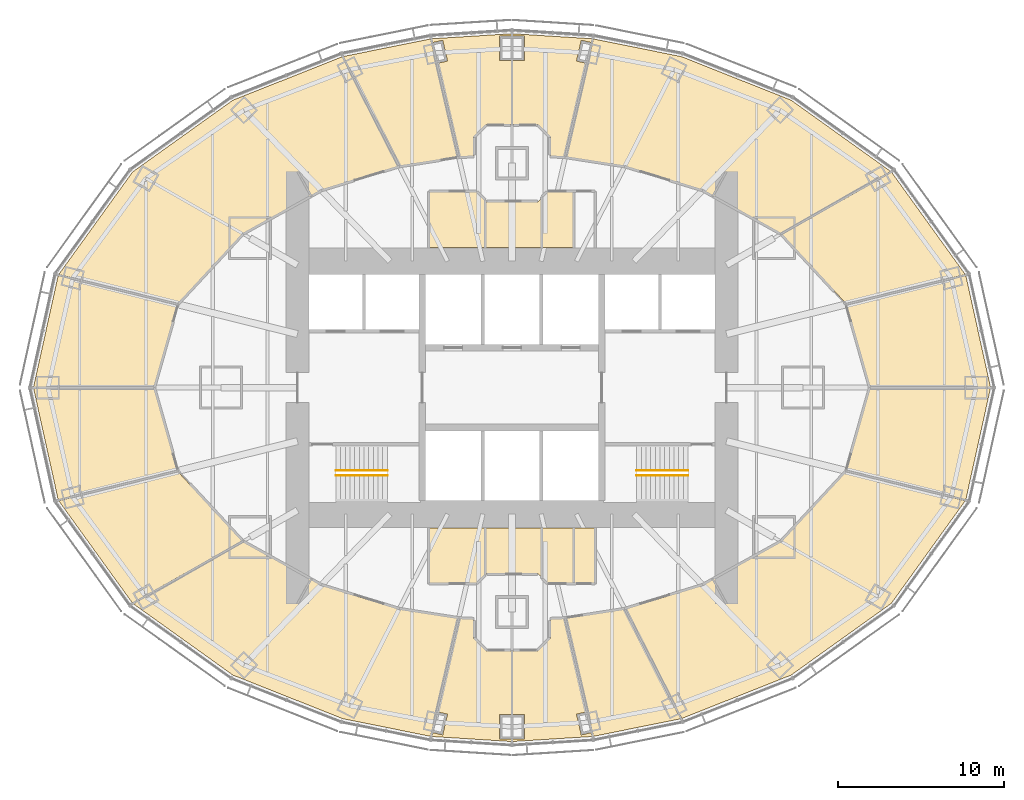
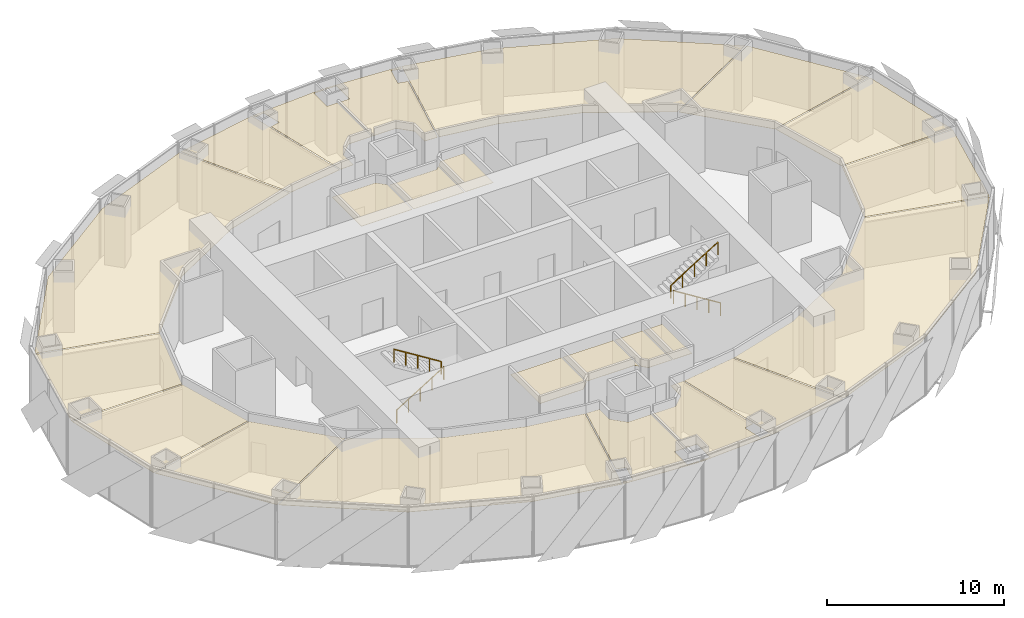
# One storey, part 17 of 17: 23 coverings, 4 railings.
"""IFC4 building model written with IfcOpenShell, lengths in metres."""

from ifc_helpers import new_model, si_unit, direction, frame, origin, origin_2d, place, context, subcontext, project, spatial, polyline, circle, outline, extrude, material, layer, layer_set, type_object, element, save


model = new_model("IFC4")

# Units and contexts
model_context = context("Model", 3, precision=1e-05, world=origin(), true_north=direction((0.0, 1.0)))
body_context = subcontext(model_context, "Body", "Model", "MODEL_VIEW")
ifc_project = project(units=[si_unit("LENGTHUNIT", "METRE"), si_unit("AREAUNIT", "SQUARE_METRE"), si_unit("VOLUMEUNIT", "CUBIC_METRE"), si_unit("PLANEANGLEUNIT", "RADIAN"), si_unit("MASSUNIT", "GRAM", prefix="KILO")], contexts=[model_context])

# Site, building, storey
site_placement = place(None, origin())
site = spatial("IfcSite", under=ifc_project, at=site_placement, CompositionType="ELEMENT")
building_placement = place(site_placement, origin())
building = spatial("IfcBuilding", under=site, at=building_placement, Name="Lantaw Convention Tower", CompositionType="ELEMENT")
storey_placement = place(building_placement, frame((0.0, 0.0, 159.39990234375)))
storey = spatial("IfcBuildingStorey", under=building, at=storey_placement, Name="L37", CompositionType="ELEMENT", Elevation=159.39990234375)

# Railings
ifc_material_1 = material(Name="Stainless steel", Category="steel")
railing_type = type_object("IfcRailingType", Name="Stair handrail", PredefinedType="HANDRAIL", material=ifc_material_1)
railing_1_placement = place(storey_placement, frame((-10.580078125, -5.280029296875, 0.175048828125)))
element("IfcRailing", 1, at=railing_1_placement, inside=storey, type_object=railing_type, Name="Stair handrail S1", PredefinedType="HANDRAIL", context=body_context, shape_type="SweptSolid", body=[
    extrude(circle(Radius=0.02392578125, at=origin_2d()), frame((0.0, 0.0, 0.8759765625), z_axis=(0.847998304005, 0.0, 0.529998940003), x_axis=(0.0, 1.0, 0.0)), (0.0, 0.0, 1.0), 3.632080078125),
    extrude(circle(Radius=0.02099609375, at=origin_2d()), origin(), (0.0, 0.0, 1.0), 0.851806640625),
    extrude(circle(Radius=0.02099609375, at=origin_2d()), frame((0.77001953125, 0.0, 0.481201171875)), (0.0, 0.0, 1.0), 0.851806640625),
    extrude(circle(Radius=0.02099609375, at=origin_2d()), frame((1.5400390625, 0.0, 0.96240234375)), (0.0, 0.0, 1.0), 0.851806640625),
    extrude(circle(Radius=0.02099609375, at=origin_2d()), frame((2.31005859375, 0.0, 1.44384765625)), (0.0, 0.0, 1.0), 0.851806640625),
    extrude(circle(Radius=0.02099609375, at=origin_2d()), frame((3.080078125, 0.0, 1.925048828125)), (0.0, 0.0, 1.0), 0.851806640625),
])
for number, where, name in (
    (2, (-7.5, -4.97998046875, 2.275146484375), "Stair handrail S1"),
    (3, (10.580078125, -5.280029296875, 0.175048828125), "Stair handrail S2"),
):
    element("IfcRailing", number, at=place(storey_placement, frame(where)), inside=storey, type_object=railing_type, Name=name, PredefinedType="HANDRAIL", context=body_context, shape_type="SweptSolid", body=[
        extrude(circle(Radius=0.02392578125, at=origin_2d()), frame((0.0, 0.0, 0.8759765625), z_axis=(-0.847998304005, 0.0, 0.529998940003), x_axis=(0.0, -1.0, 0.0)), (0.0, 0.0, 1.0), 3.632080078125),
        extrude(circle(Radius=0.02099609375, at=origin_2d()), origin(), (0.0, 0.0, 1.0), 0.851806640625),
        extrude(circle(Radius=0.02099609375, at=origin_2d()), frame((-0.77001953125, 0.0, 0.481201171875)), (0.0, 0.0, 1.0), 0.851806640625),
        extrude(circle(Radius=0.02099609375, at=origin_2d()), frame((-1.5400390625, 0.0, 0.96240234375)), (0.0, 0.0, 1.0), 0.851806640625),
        extrude(circle(Radius=0.02099609375, at=origin_2d()), frame((-2.31005859375, 0.0, 1.44384765625)), (0.0, 0.0, 1.0), 0.851806640625),
        extrude(circle(Radius=0.02099609375, at=origin_2d()), frame((-3.080078125, 0.0, 1.925048828125)), (0.0, 0.0, 1.0), 0.851806640625),
    ])
railing_2_placement = place(storey_placement, frame((7.5, -4.97998046875, 2.275146484375)))
element("IfcRailing", 4, at=railing_2_placement, inside=storey, type_object=railing_type, Name="Stair handrail S2", PredefinedType="HANDRAIL", context=body_context, shape_type="SweptSolid", body=[
    extrude(circle(Radius=0.02392578125, at=origin_2d()), frame((0.0, 0.0, 0.8759765625), z_axis=(0.847998304005, 0.0, 0.529998940003), x_axis=(0.0, 1.0, 0.0)), (0.0, 0.0, 1.0), 3.632080078125),
    extrude(circle(Radius=0.02099609375, at=origin_2d()), origin(), (0.0, 0.0, 1.0), 0.851806640625),
    extrude(circle(Radius=0.02099609375, at=origin_2d()), frame((0.77001953125, 0.0, 0.481201171875)), (0.0, 0.0, 1.0), 0.851806640625),
    extrude(circle(Radius=0.02099609375, at=origin_2d()), frame((1.5400390625, 0.0, 0.96240234375)), (0.0, 0.0, 1.0), 0.851806640625),
    extrude(circle(Radius=0.02099609375, at=origin_2d()), frame((2.31005859375, 0.0, 1.44384765625)), (0.0, 0.0, 1.0), 0.851806640625),
    extrude(circle(Radius=0.02099609375, at=origin_2d()), frame((3.080078125, 0.0, 1.925048828125)), (0.0, 0.0, 1.0), 0.851806640625),
])

# Coverings
ifc_material_2 = material(Name="Gypsum board on steel suspension grid", Category="steel")
ifc_layer = layer(ifc_material_2, 0.02001953125)
ifc_layer_set = layer_set([ifc_layer], Name="Suspended ceiling")
covering_type = type_object("IfcCoveringType", Name="Suspended ceiling", PredefinedType="CEILING", material=ifc_layer_set)
covering_1_placement = place(storey_placement, frame((0.0, 0.0, 3.4501953125)))
element("IfcCovering", 5, at=covering_1_placement, inside=storey, type_object=covering_type, Name="Female WC ceiling", PredefinedType="CEILING", context=body_context, shape_type="SweptSolid", body=[
    extrude(outline(polyline([(-4.9599609375, 11.760009765625), (-4.9599609375, 8.43994140625), (-1.639892578125, 8.43994140625), (-1.639892578125, 11.26611328125), (-2.1337890625, 11.760009765625), (-4.9599609375, 11.760009765625)])), origin(), (0.0, 0.0, 1.0), 0.02001953125),
])
covering_2_placement = place(storey_placement, frame((0.0, 0.0, 3.4501953125)))
element("IfcCovering", 6, at=covering_2_placement, inside=storey, type_object=covering_type, Name="Male WC ceiling", PredefinedType="CEILING", context=body_context, shape_type="SweptSolid", body=[
    extrude(outline(polyline([(-1.56005859375, 11.186279296875), (-1.56005859375, 8.43994140625), (1.760009765625, 8.43994140625), (1.760009765625, 11.38623046875), (1.548828125, 11.175048828125), (-1.548828125, 11.175048828125), (-1.56005859375, 11.186279296875)])), origin(), (0.0, 0.0, 1.0), 0.02001953125),
])
covering_3_placement = place(storey_placement, frame((0.0, 0.0, 3.4501953125)))
element("IfcCovering", 7, at=covering_3_placement, inside=storey, type_object=covering_type, Name="Accessible WC ceiling", PredefinedType="CEILING", context=body_context, shape_type="SweptSolid", body=[
    extrude(outline(polyline([(1.840087890625, 11.466064453125), (1.840087890625, 8.43994140625), (3.659912109375, 8.43994140625), (3.659912109375, 11.760009765625), (2.1337890625, 11.760009765625), (1.840087890625, 11.466064453125)])), origin(), (0.0, 0.0, 1.0), 0.02001953125),
])
covering_4_placement = place(storey_placement, frame((0.0, 0.0, 3.4501953125)))
element("IfcCovering", 8, at=covering_4_placement, inside=storey, type_object=covering_type, Name="Female WC ceiling", PredefinedType="CEILING", context=body_context, shape_type="SweptSolid", body=[
    extrude(outline(polyline([(-4.9599609375, -8.43994140625), (-4.9599609375, -11.760009765625), (-2.1337890625, -11.760009765625), (-1.639892578125, -11.26611328125), (-1.639892578125, -8.43994140625), (-4.9599609375, -8.43994140625)])), origin(), (0.0, 0.0, 1.0), 0.02001953125),
])
covering_5_placement = place(storey_placement, frame((0.0, 0.0, 3.4501953125)))
element("IfcCovering", 9, at=covering_5_placement, inside=storey, type_object=covering_type, Name="Male WC ceiling", PredefinedType="CEILING", context=body_context, shape_type="SweptSolid", body=[
    extrude(outline(polyline([(-1.56005859375, -11.186279296875), (-1.548828125, -11.175048828125), (1.548828125, -11.175048828125), (1.760009765625, -11.38623046875), (1.760009765625, -8.43994140625), (-1.56005859375, -8.43994140625), (-1.56005859375, -11.186279296875)])), origin(), (0.0, 0.0, 1.0), 0.02001953125),
])
covering_6_placement = place(storey_placement, frame((0.0, 0.0, 3.4501953125)))
element("IfcCovering", 10, at=covering_6_placement, inside=storey, type_object=covering_type, Name="Accessible WC ceiling", PredefinedType="CEILING", context=body_context, shape_type="SweptSolid", body=[
    extrude(outline(polyline([(1.840087890625, -8.43994140625), (1.840087890625, -11.466064453125), (2.1337890625, -11.760009765625), (3.659912109375, -11.760009765625), (3.659912109375, -8.43994140625), (1.840087890625, -8.43994140625)])), origin(), (0.0, 0.0, 1.0), 0.02001953125),
])
covering_7_placement = place(storey_placement, frame((0.0, 0.0, 3.4501953125)))
element("IfcCovering", 11, at=covering_7_placement, inside=storey, type_object=covering_type, Name="Pantry ceiling", PredefinedType="CEILING", context=body_context, shape_type="SweptSolid", body=[
    extrude(outline(polyline([(3.739990234375, -11.760009765625), (4.9599609375, -11.760009765625), (4.9599609375, -8.43994140625), (3.739990234375, -8.43994140625), (3.739990234375, -11.760009765625)])), origin(), (0.0, 0.0, 1.0), 0.02001953125),
])
covering_8_placement = place(storey_placement, frame((0.0, 0.0, 3.4501953125)))
element("IfcCovering", 12, at=covering_8_placement, inside=storey, type_object=covering_type, Name="Meeting room ceiling", PredefinedType="CEILING", context=body_context, shape_type="SweptSolid", body=[
    extrude(outline(polyline([(21.5302734375, 0.0400390625), (28.77099609375, 0.0400390625), (27.2939453125, 6.731689453125), (20.128173828125, 4.97705078125), (21.5302734375, 0.0400390625)])), origin(), (0.0, 0.0, 1.0), 0.02001953125),
])
covering_9_placement = place(storey_placement, frame((0.0, 0.0, 3.4501953125)))
element("IfcCovering", 13, at=covering_9_placement, inside=storey, type_object=covering_type, Name="Private office ceiling", PredefinedType="CEILING", context=body_context, shape_type="SweptSolid", body=[
    extrude(outline(polyline([(20.091796875, 5.050537109375), (27.257080078125, 6.80517578125), (22.832275390625, 12.947265625), (16.2236328125, 9.224365234375), (20.091796875, 5.050537109375)])), origin(), (0.0, 0.0, 1.0), 0.02001953125),
])
covering_10_placement = place(storey_placement, frame((0.0, 0.0, 3.4501953125)))
element("IfcCovering", 14, at=covering_10_placement, inside=storey, type_object=covering_type, Name="Tenant suite ceiling", PredefinedType="CEILING", context=body_context, shape_type="SweptSolid", body=[
    extrude(outline(polyline([(16.159912109375, 9.280029296875), (22.76953125, 13.003662109375), (16.778076171875, 17.29150390625), (10.1865234375, 19.90576171875), (4.899658203125, 20.970947265625), (3.244873046875, 13.87744140625), (6.779541015625, 13.326904296875), (11.460693359375, 11.888671875), (16.159912109375, 9.280029296875)])), origin(), (0.0, 0.0, 1.0), 0.02001953125),
])
covering_11_placement = place(storey_placement, frame((0.0, 0.0, 3.4501953125)))
element("IfcCovering", 15, at=covering_11_placement, inside=storey, type_object=covering_type, Name="Pantry ceiling", PredefinedType="CEILING", context=body_context, shape_type="SweptSolid", body=[
    extrude(outline(polyline([(2.324951171875, 15.048828125), (2.324951171875, 13.927001953125), (3.164794921875, 13.885986328125), (4.47509765625, 19.50244140625), (3.87744140625, 19.640380859375), (4.16552734375, 20.8876953125), (4.765869140625, 20.7490234375), (4.81982421875, 20.98095703125), (0.0400390625, 21.281982421875), (0.0400390625, 21.139892578125), (0.739990234375, 21.139892578125), (0.739990234375, 19.659912109375), (0.0400390625, 19.659912109375), (0.0400390625, 15.824951171875), (1.548828125, 15.824951171875), (2.324951171875, 15.048828125)])), origin(), (0.0, 0.0, 1.0), 0.02001953125),
])
covering_12_placement = place(storey_placement, frame((0.0, 0.0, 3.4501953125)))
element("IfcCovering", 16, at=covering_12_placement, inside=storey, type_object=covering_type, Name="Meeting room ceiling", PredefinedType="CEILING", context=body_context, shape_type="SweptSolid", body=[
    extrude(outline(polyline([(-4.47509765625, 19.50244140625), (-3.164794921875, 13.885986328125), (-2.324951171875, 13.927001953125), (-2.324951171875, 15.048828125), (-1.548828125, 15.824951171875), (-0.0400390625, 15.824951171875), (-0.0400390625, 19.659912109375), (-0.739990234375, 19.659912109375), (-0.739990234375, 21.139892578125), (-0.0400390625, 21.139892578125), (-0.0400390625, 21.281982421875), (-4.81982421875, 20.98095703125), (-4.765869140625, 20.7490234375), (-4.16552734375, 20.8876953125), (-3.87744140625, 19.640380859375), (-4.47509765625, 19.50244140625)])), origin(), (0.0, 0.0, 1.0), 0.02001953125),
])
covering_13_placement = place(storey_placement, frame((0.0, 0.0, 3.4501953125)))
element("IfcCovering", 17, at=covering_13_placement, inside=storey, type_object=covering_type, Name="Private office ceiling", PredefinedType="CEILING", context=body_context, shape_type="SweptSolid", body=[
    extrude(outline(polyline([(-3.244873046875, 13.87744140625), (-4.899658203125, 20.970947265625), (-10.13818359375, 19.91552734375), (-6.748046875, 13.331787109375), (-3.244873046875, 13.87744140625)])), origin(), (0.0, 0.0, 1.0), 0.02001953125),
])
covering_14_placement = place(storey_placement, frame((0.0, 0.0, 3.4501953125)))
element("IfcCovering", 18, at=covering_14_placement, inside=storey, type_object=covering_type, Name="Tenant suite ceiling", PredefinedType="CEILING", context=body_context, shape_type="SweptSolid", body=[
    extrude(outline(polyline([(-6.827880859375, 13.31201171875), (-10.217041015625, 19.893798828125), (-16.778076171875, 17.29150390625), (-22.815185546875, 12.970947265625), (-27.257080078125, 6.80517578125), (-20.091796875, 5.050537109375), (-16.18505859375, 9.26611328125), (-11.460693359375, 11.888671875), (-6.827880859375, 13.31201171875)])), origin(), (0.0, 0.0, 1.0), 0.02001953125),
])
covering_15_placement = place(storey_placement, frame((0.0, 0.0, 3.4501953125)))
element("IfcCovering", 19, at=covering_15_placement, inside=storey, type_object=covering_type, Name="Pantry ceiling", PredefinedType="CEILING", context=body_context, shape_type="SweptSolid", body=[
    extrude(outline(polyline([(-20.128173828125, 4.97705078125), (-27.2939453125, 6.731689453125), (-28.77099609375, 0.0400390625), (-21.5302734375, 0.0400390625), (-20.128173828125, 4.97705078125)])), origin(), (0.0, 0.0, 1.0), 0.02001953125),
])
covering_16_placement = place(storey_placement, frame((0.0, 0.0, 3.4501953125)))
element("IfcCovering", 20, at=covering_16_placement, inside=storey, type_object=covering_type, Name="Meeting room ceiling", PredefinedType="CEILING", context=body_context, shape_type="SweptSolid", body=[
    extrude(outline(polyline([(-21.5302734375, -0.0400390625), (-28.77099609375, -0.0400390625), (-27.2939453125, -6.731689453125), (-20.128173828125, -4.97705078125), (-21.5302734375, -0.0400390625)])), origin(), (0.0, 0.0, 1.0), 0.02001953125),
])
covering_17_placement = place(storey_placement, frame((0.0, 0.0, 3.4501953125)))
element("IfcCovering", 21, at=covering_17_placement, inside=storey, type_object=covering_type, Name="Private office ceiling", PredefinedType="CEILING", context=body_context, shape_type="SweptSolid", body=[
    extrude(outline(polyline([(-20.091796875, -5.050537109375), (-27.257080078125, -6.80517578125), (-22.832275390625, -12.947265625), (-16.2236328125, -9.224365234375), (-20.091796875, -5.050537109375)])), origin(), (0.0, 0.0, 1.0), 0.02001953125),
])
covering_18_placement = place(storey_placement, frame((0.0, 0.0, 3.4501953125)))
element("IfcCovering", 22, at=covering_18_placement, inside=storey, type_object=covering_type, Name="Tenant suite ceiling", PredefinedType="CEILING", context=body_context, shape_type="SweptSolid", body=[
    extrude(outline(polyline([(-16.159912109375, -9.280029296875), (-22.76953125, -13.003662109375), (-16.778076171875, -17.29150390625), (-10.1865234375, -19.90576171875), (-4.899658203125, -20.970947265625), (-3.244873046875, -13.87744140625), (-6.779541015625, -13.326904296875), (-11.460693359375, -11.888671875), (-16.159912109375, -9.280029296875)])), origin(), (0.0, 0.0, 1.0), 0.02001953125),
])
covering_19_placement = place(storey_placement, frame((0.0, 0.0, 3.4501953125)))
element("IfcCovering", 23, at=covering_19_placement, inside=storey, type_object=covering_type, Name="Pantry ceiling", PredefinedType="CEILING", context=body_context, shape_type="SweptSolid", body=[
    extrude(outline(polyline([(-2.324951171875, -15.048828125), (-2.324951171875, -13.927001953125), (-3.164794921875, -13.885986328125), (-4.47509765625, -19.50244140625), (-3.87744140625, -19.640380859375), (-4.16552734375, -20.8876953125), (-4.765869140625, -20.7490234375), (-4.81982421875, -20.98095703125), (-0.0400390625, -21.281982421875), (-0.0400390625, -21.139892578125), (-0.739990234375, -21.139892578125), (-0.739990234375, -19.659912109375), (-0.0400390625, -19.659912109375), (-0.0400390625, -15.824951171875), (-1.548828125, -15.824951171875), (-2.324951171875, -15.048828125)])), origin(), (0.0, 0.0, 1.0), 0.02001953125),
])
covering_20_placement = place(storey_placement, frame((0.0, 0.0, 3.4501953125)))
element("IfcCovering", 24, at=covering_20_placement, inside=storey, type_object=covering_type, Name="Meeting room ceiling", PredefinedType="CEILING", context=body_context, shape_type="SweptSolid", body=[
    extrude(outline(polyline([(4.47509765625, -19.50244140625), (3.164794921875, -13.885986328125), (2.324951171875, -13.927001953125), (2.324951171875, -15.048828125), (1.548828125, -15.824951171875), (0.0400390625, -15.824951171875), (0.0400390625, -19.659912109375), (0.739990234375, -19.659912109375), (0.739990234375, -21.139892578125), (0.0400390625, -21.139892578125), (0.0400390625, -21.281982421875), (4.81982421875, -20.98095703125), (4.765869140625, -20.7490234375), (4.16552734375, -20.8876953125), (3.87744140625, -19.640380859375), (4.47509765625, -19.50244140625)])), origin(), (0.0, 0.0, 1.0), 0.02001953125),
])
covering_21_placement = place(storey_placement, frame((0.0, 0.0, 3.4501953125)))
element("IfcCovering", 25, at=covering_21_placement, inside=storey, type_object=covering_type, Name="Private office ceiling", PredefinedType="CEILING", context=body_context, shape_type="SweptSolid", body=[
    extrude(outline(polyline([(3.244873046875, -13.87744140625), (4.899658203125, -20.970947265625), (10.13818359375, -19.91552734375), (6.748046875, -13.331787109375), (3.244873046875, -13.87744140625)])), origin(), (0.0, 0.0, 1.0), 0.02001953125),
])
covering_22_placement = place(storey_placement, frame((0.0, 0.0, 3.4501953125)))
element("IfcCovering", 26, at=covering_22_placement, inside=storey, type_object=covering_type, Name="Tenant suite ceiling", PredefinedType="CEILING", context=body_context, shape_type="SweptSolid", body=[
    extrude(outline(polyline([(6.827880859375, -13.31201171875), (10.217041015625, -19.893798828125), (16.778076171875, -17.29150390625), (22.815185546875, -12.970947265625), (27.257080078125, -6.80517578125), (20.091796875, -5.050537109375), (16.18505859375, -9.26611328125), (11.460693359375, -11.888671875), (6.827880859375, -13.31201171875)])), origin(), (0.0, 0.0, 1.0), 0.02001953125),
])
covering_23_placement = place(storey_placement, frame((0.0, 0.0, 3.4501953125)))
element("IfcCovering", 27, at=covering_23_placement, inside=storey, type_object=covering_type, Name="Pantry ceiling", PredefinedType="CEILING", context=body_context, shape_type="SweptSolid", body=[
    extrude(outline(polyline([(20.128173828125, -4.97705078125), (27.2939453125, -6.731689453125), (28.77099609375, -0.0400390625), (21.5302734375, -0.0400390625), (20.128173828125, -4.97705078125)])), origin(), (0.0, 0.0, 1.0), 0.02001953125),
])

save(model, "model.ifc")
